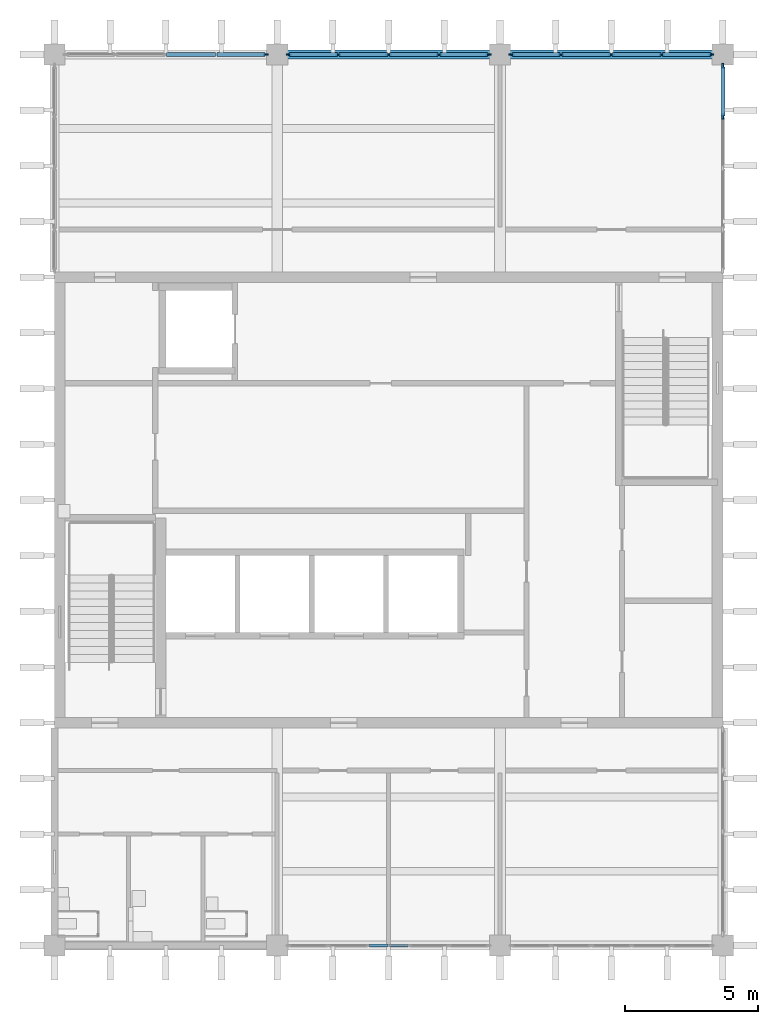
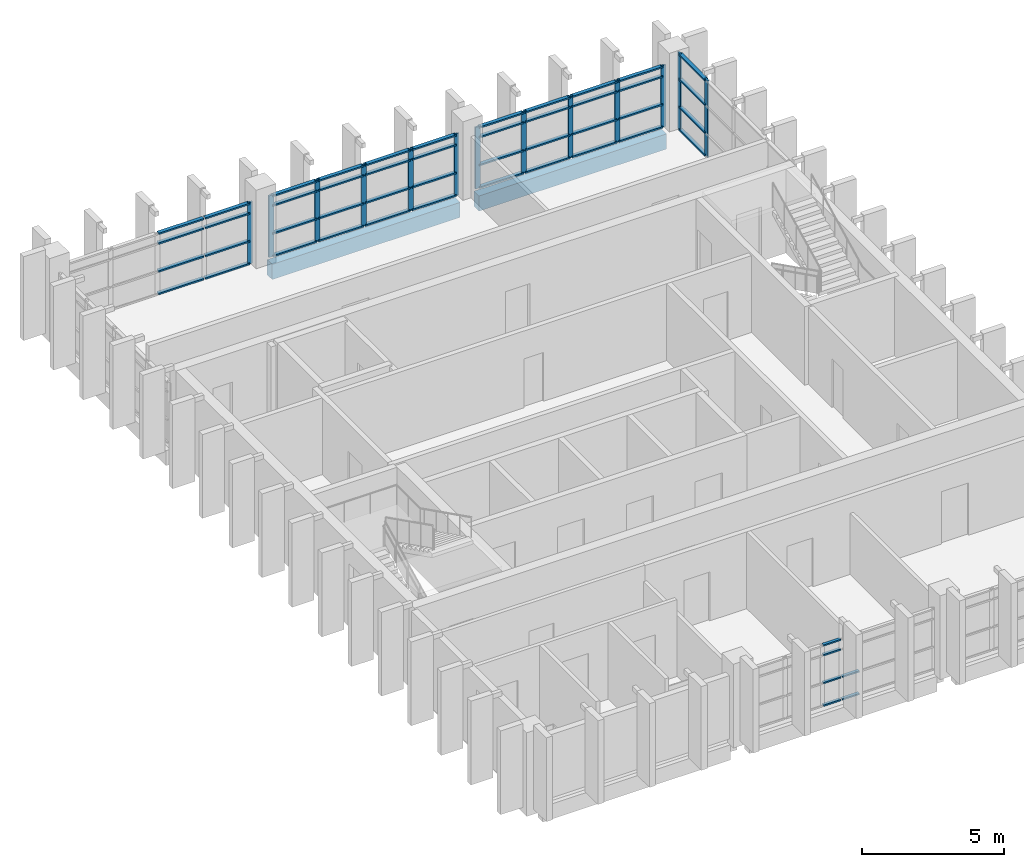
# One storey, part 4 of 11: 63 members, 2 beams, 5 elements without a shape of their own.
"""IFC4 building model written with IfcOpenShell, lengths in metres."""

from ifc_helpers import new_model, si_unit, direction, frame, origin, origin_2d, place, context, subcontext, project, spatial, rectangle, extrude, material, layer, layer_set, material_profile, profile_set, type_object, element, aggregate, save


model = new_model("IFC4")

# Units and contexts
model_context = context("Model", 3, precision=1e-05, world=origin(), true_north=direction((0.0, 1.0)))
body_context = subcontext(model_context, "Body", "Model", "MODEL_VIEW")
ifc_project = project(units=[si_unit("LENGTHUNIT", "METRE"), si_unit("AREAUNIT", "SQUARE_METRE"), si_unit("VOLUMEUNIT", "CUBIC_METRE"), si_unit("PLANEANGLEUNIT", "RADIAN"), si_unit("MASSUNIT", "GRAM", prefix="KILO")], contexts=[model_context])

# Site, building, storey
site_placement = place(None, origin())
site = spatial("IfcSite", under=ifc_project, at=site_placement, CompositionType="ELEMENT")
building_placement = place(site_placement, origin())
building = spatial("IfcBuilding", under=site, at=building_placement, Name="Rulbaag Community and Learning Centre", CompositionType="ELEMENT")
storey_placement = place(building_placement, frame((0.0, 0.0, 43.199951171875)))
storey = spatial("IfcBuildingStorey", under=building, at=storey_placement, Name="L11", CompositionType="ELEMENT", Elevation=43.199951171875)

# Beams
ifc_material_1 = material(Name="Concrete M40", Category="concrete")
ifc_material_profile_1 = material_profile(ifc_material_1, rectangle(XDim=0.35009765625, YDim=0.64990234375, at=origin_2d()), Name="RB350x650")
ifc_profile_set_1 = profile_set([ifc_material_profile_1], Name="Concrete M40")
beam_type = type_object("IfcBeamType", Name="B14 Tower edge beam, upper zone 350x650 Concrete M40", PredefinedType="BEAM", material=ifc_profile_set_1)
beam_1_placement = place(storey_placement, frame((151.580078125, 117.60009765625, -0.550048828125), z_axis=(1.0, 0.0, 0.0), x_axis=(0.0, 1.0, 0.0)))
element("IfcBeam", 1, at=beam_1_placement, inside=storey, type_object=beam_type, Name="BM-L11-19O-20O", PredefinedType="BEAM", context=body_context, shape_type="SweptSolid", body=[
    extrude(rectangle(XDim=0.35009765625, YDim=0.64990234375, at=origin_2d()), origin(), (0.0, 0.0, 1.0), 7.639892578125),
])
beam_2_placement = place(storey_placement, frame((159.97998046875, 117.60009765625, -0.550048828125), z_axis=(1.0, 0.0, 0.0), x_axis=(0.0, 1.0, 0.0)))
element("IfcBeam", 2, at=beam_2_placement, inside=storey, type_object=beam_type, Name="BM-L11-20O-21O", PredefinedType="BEAM", context=body_context, shape_type="SweptSolid", body=[
    extrude(rectangle(XDim=0.35009765625, YDim=0.64990234375, at=origin_2d()), origin(), (0.0, 0.0, 1.0), 7.64013671875),
])

# Curtain wall, members
ifc_material_2 = material(Name="Aluminium", Category="aluminium")
ifc_layer_1 = layer(ifc_material_2, 0.14990234375)
ifc_layer_set_1 = layer_set([ifc_layer_1], Name="CW-S")
curtain_wall_type_1 = type_object("IfcCurtainWallType", Name="CW-S", PredefinedType="USERDEFINED", material=ifc_layer_set_1)
curtain_wall_1_placement = place(storey_placement, origin())
curtain_wall_1 = element("IfcCurtainWall", 3, at=curtain_wall_1_placement, inside=storey, type_object=curtain_wall_type_1, Name="GS-L11-01", ObjectType="UNITISED CURTAIN WALL", PredefinedType="USERDEFINED")
ifc_material_3 = material(Name="Aluminium transom", Category="aluminium")
ifc_material_profile_2 = material_profile(ifc_material_3, rectangle(XDim=0.125, YDim=0.06005859375, at=origin_2d()), Name="AL 60x125 T")
ifc_profile_set_2 = profile_set([ifc_material_profile_2], Name="Aluminium transom")
member_type_1 = type_object("IfcMemberType", Name="CW-S-TRN", PredefinedType="USERDEFINED", material=ifc_profile_set_2)
member_1_placement = place(storey_placement, frame((154.669921875, 84.0, 0.030029296875), z_axis=(1.0, 0.0, 0.0), x_axis=(0.0, 1.0, 0.0)))
member_1 = element("IfcMember", 4, at=member_1_placement, type_object=member_type_1, Name="GS transom 3.1", ObjectType="TRANSOM", PredefinedType="USERDEFINED", context=body_context, shape_type="SweptSolid", body=[
    extrude(rectangle(XDim=0.125, YDim=0.06005859375, at=origin_2d()), origin(), (0.0, 0.0, 1.0), 0.7001953125),
])
member_2_placement = place(storey_placement, frame((154.669921875, 84.0, 1.0), z_axis=(1.0, 0.0, 0.0), x_axis=(0.0, 1.0, 0.0)))
member_2 = element("IfcMember", 5, at=member_2_placement, type_object=member_type_1, Name="GS transom 3.2", ObjectType="TRANSOM", PredefinedType="USERDEFINED", context=body_context, shape_type="SweptSolid", body=[
    extrude(rectangle(XDim=0.125, YDim=0.06005859375, at=origin_2d()), origin(), (0.0, 0.0, 1.0), 0.7001953125),
])
member_3_placement = place(storey_placement, frame((154.669921875, 84.0, 2.199951171875), z_axis=(1.0, 0.0, 0.0), x_axis=(0.0, 1.0, 0.0)))
member_3 = element("IfcMember", 6, at=member_3_placement, type_object=member_type_1, Name="GS transom 3.3", ObjectType="TRANSOM", PredefinedType="USERDEFINED", context=body_context, shape_type="SweptSolid", body=[
    extrude(rectangle(XDim=0.125, YDim=0.06005859375, at=origin_2d()), origin(), (0.0, 0.0, 1.0), 0.7001953125),
])
member_4_placement = place(storey_placement, frame((154.669921875, 84.0, 2.6201171875), z_axis=(1.0, 0.0, 0.0), x_axis=(0.0, 1.0, 0.0)))
member_4 = element("IfcMember", 7, at=member_4_placement, type_object=member_type_1, Name="GS transom 3.4", ObjectType="TRANSOM", PredefinedType="USERDEFINED", context=body_context, shape_type="SweptSolid", body=[
    extrude(rectangle(XDim=0.125, YDim=0.06005859375, at=origin_2d()), origin(), (0.0, 0.0, 1.0), 0.7001953125),
])
member_5_placement = place(storey_placement, frame((155.429931640625, 84.0, 0.030029296875), z_axis=(1.0, 0.0, 0.0), x_axis=(0.0, 1.0, 0.0)))
member_5 = element("IfcMember", 8, at=member_5_placement, type_object=member_type_1, Name="GS transom 4.1", ObjectType="TRANSOM", PredefinedType="USERDEFINED", context=body_context, shape_type="SweptSolid", body=[
    extrude(rectangle(XDim=0.125, YDim=0.06005859375, at=origin_2d()), origin(), (0.0, 0.0, 1.0), 0.699951171875),
])
member_6_placement = place(storey_placement, frame((155.429931640625, 84.0, 1.0), z_axis=(1.0, 0.0, 0.0), x_axis=(0.0, 1.0, 0.0)))
member_6 = element("IfcMember", 9, at=member_6_placement, type_object=member_type_1, Name="GS transom 4.2", ObjectType="TRANSOM", PredefinedType="USERDEFINED", context=body_context, shape_type="SweptSolid", body=[
    extrude(rectangle(XDim=0.125, YDim=0.06005859375, at=origin_2d()), origin(), (0.0, 0.0, 1.0), 0.699951171875),
])
aggregate(curtain_wall_1, [member_1, member_2, member_3, member_4, member_5, member_6])

# Curtain wall, member
ifc_layer_2 = layer(ifc_material_2, 0.14990234375)
ifc_layer_set_2 = layer_set([ifc_layer_2], Name="CW-T")
curtain_wall_type_2 = type_object("IfcCurtainWallType", Name="CW-T", PredefinedType="USERDEFINED", material=ifc_layer_set_2)
curtain_wall_2_placement = place(storey_placement, origin())
curtain_wall_2 = element("IfcCurtainWall", 10, at=curtain_wall_2_placement, inside=storey, type_object=curtain_wall_type_2, Name="GT-L11-01", ObjectType="UNITISED CURTAIN WALL", PredefinedType="USERDEFINED")
ifc_material_4 = material(Name="Aluminium mullion", Category="aluminium")
ifc_material_profile_3 = material_profile(ifc_material_4, rectangle(XDim=0.06494140625, YDim=0.199951171875, at=origin_2d()), Name="AL 65x200")
ifc_profile_set_3 = profile_set([ifc_material_profile_3], Name="Aluminium mullion")
member_type_2 = type_object("IfcMemberType", Name="CW-T-MUL", PredefinedType="MULLION", material=ifc_profile_set_3)
member_7_placement = place(storey_placement, frame((150.767578125, 117.60009765625, 0.0), z_axis=(0.0, 0.0, 1.0), x_axis=(0.0, 1.0, 0.0)))
member_7 = element("IfcMember", 11, at=member_7_placement, type_object=member_type_2, Name="GT mullion 5", PredefinedType="MULLION", context=body_context, shape_type="SweptSolid", body=[
    extrude(rectangle(XDim=0.06494140625, YDim=0.199951171875, at=origin_2d()), origin(), (0.0, 0.0, 1.0), 2.650146484375),
])

# Curtain wall, members
curtain_wall_3_placement = place(storey_placement, origin())
curtain_wall_3 = element("IfcCurtainWall", 12, at=curtain_wall_3_placement, inside=storey, type_object=curtain_wall_type_2, Name="GT-L11-02", ObjectType="UNITISED CURTAIN WALL", PredefinedType="USERDEFINED")
member_8_placement = place(storey_placement, frame((151.632568359375, 117.60009765625, 0.0), z_axis=(0.0, 0.0, 1.0), x_axis=(0.0, 1.0, 0.0)))
member_8 = element("IfcMember", 13, at=member_8_placement, type_object=member_type_2, Name="GT mullion 1", PredefinedType="MULLION", context=body_context, shape_type="SweptSolid", body=[
    extrude(rectangle(XDim=0.06494140625, YDim=0.199951171875, at=origin_2d()), origin(), (0.0, 0.0, 1.0), 2.650146484375),
])
member_9_placement = place(storey_placement, frame((153.5, 117.60009765625, 0.0), z_axis=(0.0, 0.0, 1.0), x_axis=(0.0, 1.0, 0.0)))
member_9 = element("IfcMember", 14, at=member_9_placement, type_object=member_type_2, Name="GT mullion 2", PredefinedType="MULLION", context=body_context, shape_type="SweptSolid", body=[
    extrude(rectangle(XDim=0.06494140625, YDim=0.199951171875, at=origin_2d()), origin(), (0.0, 0.0, 1.0), 2.650146484375),
])
member_10_placement = place(storey_placement, frame((155.39990234375, 117.60009765625, 0.0), z_axis=(0.0, 0.0, 1.0), x_axis=(0.0, 1.0, 0.0)))
member_10 = element("IfcMember", 15, at=member_10_placement, type_object=member_type_2, Name="GT mullion 3", PredefinedType="MULLION", context=body_context, shape_type="SweptSolid", body=[
    extrude(rectangle(XDim=0.06494140625, YDim=0.199951171875, at=origin_2d()), origin(), (0.0, 0.0, 1.0), 2.650146484375),
])
member_11_placement = place(storey_placement, frame((157.300048828125, 117.60009765625, 0.0), z_axis=(0.0, 0.0, 1.0), x_axis=(0.0, 1.0, 0.0)))
member_11 = element("IfcMember", 16, at=member_11_placement, type_object=member_type_2, Name="GT mullion 4", PredefinedType="MULLION", context=body_context, shape_type="SweptSolid", body=[
    extrude(rectangle(XDim=0.06494140625, YDim=0.199951171875, at=origin_2d()), origin(), (0.0, 0.0, 1.0), 2.650146484375),
])
member_12_placement = place(storey_placement, frame((159.16748046875, 117.60009765625, 0.0), z_axis=(0.0, 0.0, 1.0), x_axis=(0.0, 1.0, 0.0)))
member_12 = element("IfcMember", 17, at=member_12_placement, type_object=member_type_2, Name="GT mullion 5", PredefinedType="MULLION", context=body_context, shape_type="SweptSolid", body=[
    extrude(rectangle(XDim=0.06494140625, YDim=0.199951171875, at=origin_2d()), origin(), (0.0, 0.0, 1.0), 2.650146484375),
])

curtain_wall_4_placement = place(storey_placement, origin())
curtain_wall_4 = element("IfcCurtainWall", 18, at=curtain_wall_4_placement, inside=storey, type_object=curtain_wall_type_2, Name="GT-L11-03", ObjectType="UNITISED CURTAIN WALL", PredefinedType="USERDEFINED")
member_13_placement = place(storey_placement, frame((160.032470703125, 117.60009765625, 0.0), z_axis=(0.0, 0.0, 1.0), x_axis=(0.0, 1.0, 0.0)))
member_13 = element("IfcMember", 19, at=member_13_placement, type_object=member_type_2, Name="GT mullion 1", PredefinedType="MULLION", context=body_context, shape_type="SweptSolid", body=[
    extrude(rectangle(XDim=0.06494140625, YDim=0.199951171875, at=origin_2d()), origin(), (0.0, 0.0, 1.0), 2.650146484375),
])
member_14_placement = place(storey_placement, frame((161.89990234375, 117.60009765625, 0.0), z_axis=(0.0, 0.0, 1.0), x_axis=(0.0, 1.0, 0.0)))
member_14 = element("IfcMember", 20, at=member_14_placement, type_object=member_type_2, Name="GT mullion 2", PredefinedType="MULLION", context=body_context, shape_type="SweptSolid", body=[
    extrude(rectangle(XDim=0.06494140625, YDim=0.199951171875, at=origin_2d()), origin(), (0.0, 0.0, 1.0), 2.650146484375),
])
member_15_placement = place(storey_placement, frame((163.800048828125, 117.60009765625, 0.0), z_axis=(0.0, 0.0, 1.0), x_axis=(0.0, 1.0, 0.0)))
member_15 = element("IfcMember", 21, at=member_15_placement, type_object=member_type_2, Name="GT mullion 3", PredefinedType="MULLION", context=body_context, shape_type="SweptSolid", body=[
    extrude(rectangle(XDim=0.06494140625, YDim=0.199951171875, at=origin_2d()), origin(), (0.0, 0.0, 1.0), 2.650146484375),
])
member_16_placement = place(storey_placement, frame((165.699951171875, 117.60009765625, 0.0), z_axis=(0.0, 0.0, 1.0), x_axis=(0.0, 1.0, 0.0)))
member_16 = element("IfcMember", 22, at=member_16_placement, type_object=member_type_2, Name="GT mullion 4", PredefinedType="MULLION", context=body_context, shape_type="SweptSolid", body=[
    extrude(rectangle(XDim=0.06494140625, YDim=0.199951171875, at=origin_2d()), origin(), (0.0, 0.0, 1.0), 2.650146484375),
])
member_17_placement = place(storey_placement, frame((167.5673828125, 117.60009765625, 0.0), z_axis=(0.0, 0.0, 1.0), x_axis=(0.0, 1.0, 0.0)))
member_17 = element("IfcMember", 23, at=member_17_placement, type_object=member_type_2, Name="GT mullion 5", PredefinedType="MULLION", context=body_context, shape_type="SweptSolid", body=[
    extrude(rectangle(XDim=0.06494140625, YDim=0.199951171875, at=origin_2d()), origin(), (0.0, 0.0, 1.0), 2.650146484375),
])

curtain_wall_5_placement = place(storey_placement, origin())
curtain_wall_5 = element("IfcCurtainWall", 24, at=curtain_wall_5_placement, inside=storey, type_object=curtain_wall_type_2, Name="GT-L11-06", ObjectType="UNITISED CURTAIN WALL", PredefinedType="USERDEFINED")
member_18_placement = place(storey_placement, frame((168.0, 115.25634765625, 0.0), z_axis=(0.0, 0.0, 1.0), x_axis=(-1.0, 0.0, 0.0)))
member_18 = element("IfcMember", 25, at=member_18_placement, type_object=member_type_2, Name="GT mullion 4", PredefinedType="MULLION", context=body_context, shape_type="SweptSolid", body=[
    extrude(rectangle(XDim=0.06494140625, YDim=0.199951171875, at=origin_2d()), origin(), (0.0, 0.0, 1.0), 3.300048828125),
])
member_19_placement = place(storey_placement, frame((168.0, 117.16748046875, 0.0), z_axis=(0.0, 0.0, 1.0), x_axis=(-1.0, 0.0, 0.0)))
member_19 = element("IfcMember", 26, at=member_19_placement, type_object=member_type_2, Name="GT mullion 5", PredefinedType="MULLION", context=body_context, shape_type="SweptSolid", body=[
    extrude(rectangle(XDim=0.06494140625, YDim=0.199951171875, at=origin_2d()), origin(), (0.0, 0.0, 1.0), 3.300048828125),
])

# Member
ifc_material_profile_4 = material_profile(ifc_material_3, rectangle(XDim=0.14990234375, YDim=0.06494140625, at=origin_2d()), Name="AL 65x150 T")
ifc_profile_set_4 = profile_set([ifc_material_profile_4], Name="Aluminium transom")
member_type_3 = type_object("IfcMemberType", Name="CW-T-TRN", PredefinedType="USERDEFINED", material=ifc_profile_set_4)
member_20_placement = place(storey_placement, frame((147.032470703125, 117.60009765625, 0.032470703125), z_axis=(1.0, 0.0, 0.0), x_axis=(0.0, 1.0, 0.0)))
member_20 = element("IfcMember", 27, at=member_20_placement, type_object=member_type_3, Name="GT transom 3.1", ObjectType="TRANSOM", PredefinedType="USERDEFINED", context=body_context, shape_type="SweptSolid", body=[
    extrude(rectangle(XDim=0.14990234375, YDim=0.06494140625, at=origin_2d()), origin(), (0.0, 0.0, 1.0), 1.8349609375),
])

member_21_placement = place(storey_placement, frame((147.032470703125, 117.60009765625, 1.0), z_axis=(1.0, 0.0, 0.0), x_axis=(0.0, 1.0, 0.0)))
member_21 = element("IfcMember", 28, at=member_21_placement, type_object=member_type_3, Name="GT transom 3.2", ObjectType="TRANSOM", PredefinedType="USERDEFINED", context=body_context, shape_type="SweptSolid", body=[
    extrude(rectangle(XDim=0.14990234375, YDim=0.06494140625, at=origin_2d()), origin(), (0.0, 0.0, 1.0), 1.8349609375),
])

member_22_placement = place(storey_placement, frame((147.032470703125, 117.60009765625, 2.199951171875), z_axis=(1.0, 0.0, 0.0), x_axis=(0.0, 1.0, 0.0)))
member_22 = element("IfcMember", 29, at=member_22_placement, type_object=member_type_3, Name="GT transom 3.3", ObjectType="TRANSOM", PredefinedType="USERDEFINED", context=body_context, shape_type="SweptSolid", body=[
    extrude(rectangle(XDim=0.14990234375, YDim=0.06494140625, at=origin_2d()), origin(), (0.0, 0.0, 1.0), 1.8349609375),
])

member_23_placement = place(storey_placement, frame((147.032470703125, 117.60009765625, 2.617431640625), z_axis=(1.0, 0.0, 0.0), x_axis=(0.0, 1.0, 0.0)))
member_23 = element("IfcMember", 30, at=member_23_placement, type_object=member_type_3, Name="GT transom 3.4", ObjectType="TRANSOM", PredefinedType="USERDEFINED", context=body_context, shape_type="SweptSolid", body=[
    extrude(rectangle(XDim=0.14990234375, YDim=0.06494140625, at=origin_2d()), origin(), (0.0, 0.0, 1.0), 1.8349609375),
])

member_24_placement = place(storey_placement, frame((148.9326171875, 117.60009765625, 0.032470703125), z_axis=(1.0, 0.0, 0.0), x_axis=(0.0, 1.0, 0.0)))
member_24 = element("IfcMember", 31, at=member_24_placement, type_object=member_type_3, Name="GT transom 4.1", ObjectType="TRANSOM", PredefinedType="USERDEFINED", context=body_context, shape_type="SweptSolid", body=[
    extrude(rectangle(XDim=0.14990234375, YDim=0.06494140625, at=origin_2d()), origin(), (0.0, 0.0, 1.0), 1.802490234375),
])

member_25_placement = place(storey_placement, frame((148.9326171875, 117.60009765625, 1.0), z_axis=(1.0, 0.0, 0.0), x_axis=(0.0, 1.0, 0.0)))
member_25 = element("IfcMember", 32, at=member_25_placement, type_object=member_type_3, Name="GT transom 4.2", ObjectType="TRANSOM", PredefinedType="USERDEFINED", context=body_context, shape_type="SweptSolid", body=[
    extrude(rectangle(XDim=0.14990234375, YDim=0.06494140625, at=origin_2d()), origin(), (0.0, 0.0, 1.0), 1.802490234375),
])

member_26_placement = place(storey_placement, frame((148.9326171875, 117.60009765625, 2.199951171875), z_axis=(1.0, 0.0, 0.0), x_axis=(0.0, 1.0, 0.0)))
member_26 = element("IfcMember", 33, at=member_26_placement, type_object=member_type_3, Name="GT transom 4.3", ObjectType="TRANSOM", PredefinedType="USERDEFINED", context=body_context, shape_type="SweptSolid", body=[
    extrude(rectangle(XDim=0.14990234375, YDim=0.06494140625, at=origin_2d()), origin(), (0.0, 0.0, 1.0), 1.802490234375),
])

member_27_placement = place(storey_placement, frame((148.9326171875, 117.60009765625, 2.617431640625), z_axis=(1.0, 0.0, 0.0), x_axis=(0.0, 1.0, 0.0)))
member_27 = element("IfcMember", 34, at=member_27_placement, type_object=member_type_3, Name="GT transom 4.4", ObjectType="TRANSOM", PredefinedType="USERDEFINED", context=body_context, shape_type="SweptSolid", body=[
    extrude(rectangle(XDim=0.14990234375, YDim=0.06494140625, at=origin_2d()), origin(), (0.0, 0.0, 1.0), 1.802490234375),
])

aggregate(curtain_wall_2, [member_7, member_20, member_21, member_22, member_23, member_24, member_25, member_26, member_27])

member_28_placement = place(storey_placement, frame((151.6650390625, 117.60009765625, 0.032470703125), z_axis=(1.0, 0.0, 0.0), x_axis=(0.0, 1.0, 0.0)))
member_28 = element("IfcMember", 35, at=member_28_placement, type_object=member_type_3, Name="GT transom 1.1", ObjectType="TRANSOM", PredefinedType="USERDEFINED", context=body_context, shape_type="SweptSolid", body=[
    extrude(rectangle(XDim=0.14990234375, YDim=0.06494140625, at=origin_2d()), origin(), (0.0, 0.0, 1.0), 1.802490234375),
])

member_29_placement = place(storey_placement, frame((151.6650390625, 117.60009765625, 1.0), z_axis=(1.0, 0.0, 0.0), x_axis=(0.0, 1.0, 0.0)))
member_29 = element("IfcMember", 36, at=member_29_placement, type_object=member_type_3, Name="GT transom 1.2", ObjectType="TRANSOM", PredefinedType="USERDEFINED", context=body_context, shape_type="SweptSolid", body=[
    extrude(rectangle(XDim=0.14990234375, YDim=0.06494140625, at=origin_2d()), origin(), (0.0, 0.0, 1.0), 1.802490234375),
])

member_30_placement = place(storey_placement, frame((151.6650390625, 117.60009765625, 2.199951171875), z_axis=(1.0, 0.0, 0.0), x_axis=(0.0, 1.0, 0.0)))
member_30 = element("IfcMember", 37, at=member_30_placement, type_object=member_type_3, Name="GT transom 1.3", ObjectType="TRANSOM", PredefinedType="USERDEFINED", context=body_context, shape_type="SweptSolid", body=[
    extrude(rectangle(XDim=0.14990234375, YDim=0.06494140625, at=origin_2d()), origin(), (0.0, 0.0, 1.0), 1.802490234375),
])

member_31_placement = place(storey_placement, frame((151.6650390625, 117.60009765625, 2.617431640625), z_axis=(1.0, 0.0, 0.0), x_axis=(0.0, 1.0, 0.0)))
member_31 = element("IfcMember", 38, at=member_31_placement, type_object=member_type_3, Name="GT transom 1.4", ObjectType="TRANSOM", PredefinedType="USERDEFINED", context=body_context, shape_type="SweptSolid", body=[
    extrude(rectangle(XDim=0.14990234375, YDim=0.06494140625, at=origin_2d()), origin(), (0.0, 0.0, 1.0), 1.802490234375),
])

member_32_placement = place(storey_placement, frame((153.532470703125, 117.60009765625, 0.032470703125), z_axis=(1.0, 0.0, 0.0), x_axis=(0.0, 1.0, 0.0)))
member_32 = element("IfcMember", 39, at=member_32_placement, type_object=member_type_3, Name="GT transom 2.1", ObjectType="TRANSOM", PredefinedType="USERDEFINED", context=body_context, shape_type="SweptSolid", body=[
    extrude(rectangle(XDim=0.14990234375, YDim=0.06494140625, at=origin_2d()), origin(), (0.0, 0.0, 1.0), 1.8349609375),
])

member_33_placement = place(storey_placement, frame((153.532470703125, 117.60009765625, 1.0), z_axis=(1.0, 0.0, 0.0), x_axis=(0.0, 1.0, 0.0)))
member_33 = element("IfcMember", 40, at=member_33_placement, type_object=member_type_3, Name="GT transom 2.2", ObjectType="TRANSOM", PredefinedType="USERDEFINED", context=body_context, shape_type="SweptSolid", body=[
    extrude(rectangle(XDim=0.14990234375, YDim=0.06494140625, at=origin_2d()), origin(), (0.0, 0.0, 1.0), 1.8349609375),
])

member_34_placement = place(storey_placement, frame((153.532470703125, 117.60009765625, 2.199951171875), z_axis=(1.0, 0.0, 0.0), x_axis=(0.0, 1.0, 0.0)))
member_34 = element("IfcMember", 41, at=member_34_placement, type_object=member_type_3, Name="GT transom 2.3", ObjectType="TRANSOM", PredefinedType="USERDEFINED", context=body_context, shape_type="SweptSolid", body=[
    extrude(rectangle(XDim=0.14990234375, YDim=0.06494140625, at=origin_2d()), origin(), (0.0, 0.0, 1.0), 1.8349609375),
])

member_35_placement = place(storey_placement, frame((153.532470703125, 117.60009765625, 2.617431640625), z_axis=(1.0, 0.0, 0.0), x_axis=(0.0, 1.0, 0.0)))
member_35 = element("IfcMember", 42, at=member_35_placement, type_object=member_type_3, Name="GT transom 2.4", ObjectType="TRANSOM", PredefinedType="USERDEFINED", context=body_context, shape_type="SweptSolid", body=[
    extrude(rectangle(XDim=0.14990234375, YDim=0.06494140625, at=origin_2d()), origin(), (0.0, 0.0, 1.0), 1.8349609375),
])

member_36_placement = place(storey_placement, frame((155.4326171875, 117.60009765625, 0.032470703125), z_axis=(1.0, 0.0, 0.0), x_axis=(0.0, 1.0, 0.0)))
member_36 = element("IfcMember", 43, at=member_36_placement, type_object=member_type_3, Name="GT transom 3.1", ObjectType="TRANSOM", PredefinedType="USERDEFINED", context=body_context, shape_type="SweptSolid", body=[
    extrude(rectangle(XDim=0.14990234375, YDim=0.06494140625, at=origin_2d()), origin(), (0.0, 0.0, 1.0), 1.8349609375),
])

member_37_placement = place(storey_placement, frame((155.4326171875, 117.60009765625, 1.0), z_axis=(1.0, 0.0, 0.0), x_axis=(0.0, 1.0, 0.0)))
member_37 = element("IfcMember", 44, at=member_37_placement, type_object=member_type_3, Name="GT transom 3.2", ObjectType="TRANSOM", PredefinedType="USERDEFINED", context=body_context, shape_type="SweptSolid", body=[
    extrude(rectangle(XDim=0.14990234375, YDim=0.06494140625, at=origin_2d()), origin(), (0.0, 0.0, 1.0), 1.8349609375),
])

member_38_placement = place(storey_placement, frame((155.4326171875, 117.60009765625, 2.199951171875), z_axis=(1.0, 0.0, 0.0), x_axis=(0.0, 1.0, 0.0)))
member_38 = element("IfcMember", 45, at=member_38_placement, type_object=member_type_3, Name="GT transom 3.3", ObjectType="TRANSOM", PredefinedType="USERDEFINED", context=body_context, shape_type="SweptSolid", body=[
    extrude(rectangle(XDim=0.14990234375, YDim=0.06494140625, at=origin_2d()), origin(), (0.0, 0.0, 1.0), 1.8349609375),
])

member_39_placement = place(storey_placement, frame((155.4326171875, 117.60009765625, 2.617431640625), z_axis=(1.0, 0.0, 0.0), x_axis=(0.0, 1.0, 0.0)))
member_39 = element("IfcMember", 46, at=member_39_placement, type_object=member_type_3, Name="GT transom 3.4", ObjectType="TRANSOM", PredefinedType="USERDEFINED", context=body_context, shape_type="SweptSolid", body=[
    extrude(rectangle(XDim=0.14990234375, YDim=0.06494140625, at=origin_2d()), origin(), (0.0, 0.0, 1.0), 1.8349609375),
])

member_40_placement = place(storey_placement, frame((157.33251953125, 117.60009765625, 0.032470703125), z_axis=(1.0, 0.0, 0.0), x_axis=(0.0, 1.0, 0.0)))
member_40 = element("IfcMember", 47, at=member_40_placement, type_object=member_type_3, Name="GT transom 4.1", ObjectType="TRANSOM", PredefinedType="USERDEFINED", context=body_context, shape_type="SweptSolid", body=[
    extrude(rectangle(XDim=0.14990234375, YDim=0.06494140625, at=origin_2d()), origin(), (0.0, 0.0, 1.0), 1.802490234375),
])

member_41_placement = place(storey_placement, frame((157.33251953125, 117.60009765625, 1.0), z_axis=(1.0, 0.0, 0.0), x_axis=(0.0, 1.0, 0.0)))
member_41 = element("IfcMember", 48, at=member_41_placement, type_object=member_type_3, Name="GT transom 4.2", ObjectType="TRANSOM", PredefinedType="USERDEFINED", context=body_context, shape_type="SweptSolid", body=[
    extrude(rectangle(XDim=0.14990234375, YDim=0.06494140625, at=origin_2d()), origin(), (0.0, 0.0, 1.0), 1.802490234375),
])

member_42_placement = place(storey_placement, frame((157.33251953125, 117.60009765625, 2.199951171875), z_axis=(1.0, 0.0, 0.0), x_axis=(0.0, 1.0, 0.0)))
member_42 = element("IfcMember", 49, at=member_42_placement, type_object=member_type_3, Name="GT transom 4.3", ObjectType="TRANSOM", PredefinedType="USERDEFINED", context=body_context, shape_type="SweptSolid", body=[
    extrude(rectangle(XDim=0.14990234375, YDim=0.06494140625, at=origin_2d()), origin(), (0.0, 0.0, 1.0), 1.802490234375),
])

member_43_placement = place(storey_placement, frame((157.33251953125, 117.60009765625, 2.617431640625), z_axis=(1.0, 0.0, 0.0), x_axis=(0.0, 1.0, 0.0)))
member_43 = element("IfcMember", 50, at=member_43_placement, type_object=member_type_3, Name="GT transom 4.4", ObjectType="TRANSOM", PredefinedType="USERDEFINED", context=body_context, shape_type="SweptSolid", body=[
    extrude(rectangle(XDim=0.14990234375, YDim=0.06494140625, at=origin_2d()), origin(), (0.0, 0.0, 1.0), 1.802490234375),
])

aggregate(curtain_wall_3, [member_8, member_9, member_10, member_11, member_12, member_28, member_29, member_30, member_31, member_32, member_33, member_34, member_35, member_36, member_37, member_38, member_39, member_40, member_41, member_42, member_43])

member_44_placement = place(storey_placement, frame((160.06494140625, 117.60009765625, 0.032470703125), z_axis=(1.0, 0.0, 0.0), x_axis=(0.0, 1.0, 0.0)))
member_44 = element("IfcMember", 51, at=member_44_placement, type_object=member_type_3, Name="GT transom 1.1", ObjectType="TRANSOM", PredefinedType="USERDEFINED", context=body_context, shape_type="SweptSolid", body=[
    extrude(rectangle(XDim=0.14990234375, YDim=0.06494140625, at=origin_2d()), origin(), (0.0, 0.0, 1.0), 1.802490234375),
])

member_45_placement = place(storey_placement, frame((160.06494140625, 117.60009765625, 1.0), z_axis=(1.0, 0.0, 0.0), x_axis=(0.0, 1.0, 0.0)))
member_45 = element("IfcMember", 52, at=member_45_placement, type_object=member_type_3, Name="GT transom 1.2", ObjectType="TRANSOM", PredefinedType="USERDEFINED", context=body_context, shape_type="SweptSolid", body=[
    extrude(rectangle(XDim=0.14990234375, YDim=0.06494140625, at=origin_2d()), origin(), (0.0, 0.0, 1.0), 1.802490234375),
])

member_46_placement = place(storey_placement, frame((160.06494140625, 117.60009765625, 2.199951171875), z_axis=(1.0, 0.0, 0.0), x_axis=(0.0, 1.0, 0.0)))
member_46 = element("IfcMember", 53, at=member_46_placement, type_object=member_type_3, Name="GT transom 1.3", ObjectType="TRANSOM", PredefinedType="USERDEFINED", context=body_context, shape_type="SweptSolid", body=[
    extrude(rectangle(XDim=0.14990234375, YDim=0.06494140625, at=origin_2d()), origin(), (0.0, 0.0, 1.0), 1.802490234375),
])

member_47_placement = place(storey_placement, frame((160.06494140625, 117.60009765625, 2.617431640625), z_axis=(1.0, 0.0, 0.0), x_axis=(0.0, 1.0, 0.0)))
member_47 = element("IfcMember", 54, at=member_47_placement, type_object=member_type_3, Name="GT transom 1.4", ObjectType="TRANSOM", PredefinedType="USERDEFINED", context=body_context, shape_type="SweptSolid", body=[
    extrude(rectangle(XDim=0.14990234375, YDim=0.06494140625, at=origin_2d()), origin(), (0.0, 0.0, 1.0), 1.802490234375),
])

member_48_placement = place(storey_placement, frame((161.9326171875, 117.60009765625, 0.032470703125), z_axis=(1.0, 0.0, 0.0), x_axis=(0.0, 1.0, 0.0)))
member_48 = element("IfcMember", 55, at=member_48_placement, type_object=member_type_3, Name="GT transom 2.1", ObjectType="TRANSOM", PredefinedType="USERDEFINED", context=body_context, shape_type="SweptSolid", body=[
    extrude(rectangle(XDim=0.14990234375, YDim=0.06494140625, at=origin_2d()), origin(), (0.0, 0.0, 1.0), 1.8349609375),
])

member_49_placement = place(storey_placement, frame((161.9326171875, 117.60009765625, 1.0), z_axis=(1.0, 0.0, 0.0), x_axis=(0.0, 1.0, 0.0)))
member_49 = element("IfcMember", 56, at=member_49_placement, type_object=member_type_3, Name="GT transom 2.2", ObjectType="TRANSOM", PredefinedType="USERDEFINED", context=body_context, shape_type="SweptSolid", body=[
    extrude(rectangle(XDim=0.14990234375, YDim=0.06494140625, at=origin_2d()), origin(), (0.0, 0.0, 1.0), 1.8349609375),
])

member_50_placement = place(storey_placement, frame((161.9326171875, 117.60009765625, 2.199951171875), z_axis=(1.0, 0.0, 0.0), x_axis=(0.0, 1.0, 0.0)))
member_50 = element("IfcMember", 57, at=member_50_placement, type_object=member_type_3, Name="GT transom 2.3", ObjectType="TRANSOM", PredefinedType="USERDEFINED", context=body_context, shape_type="SweptSolid", body=[
    extrude(rectangle(XDim=0.14990234375, YDim=0.06494140625, at=origin_2d()), origin(), (0.0, 0.0, 1.0), 1.8349609375),
])

member_51_placement = place(storey_placement, frame((161.9326171875, 117.60009765625, 2.617431640625), z_axis=(1.0, 0.0, 0.0), x_axis=(0.0, 1.0, 0.0)))
member_51 = element("IfcMember", 58, at=member_51_placement, type_object=member_type_3, Name="GT transom 2.4", ObjectType="TRANSOM", PredefinedType="USERDEFINED", context=body_context, shape_type="SweptSolid", body=[
    extrude(rectangle(XDim=0.14990234375, YDim=0.06494140625, at=origin_2d()), origin(), (0.0, 0.0, 1.0), 1.8349609375),
])

member_52_placement = place(storey_placement, frame((163.83251953125, 117.60009765625, 0.032470703125), z_axis=(1.0, 0.0, 0.0), x_axis=(0.0, 1.0, 0.0)))
member_52 = element("IfcMember", 59, at=member_52_placement, type_object=member_type_3, Name="GT transom 3.1", ObjectType="TRANSOM", PredefinedType="USERDEFINED", context=body_context, shape_type="SweptSolid", body=[
    extrude(rectangle(XDim=0.14990234375, YDim=0.06494140625, at=origin_2d()), origin(), (0.0, 0.0, 1.0), 1.8349609375),
])

member_53_placement = place(storey_placement, frame((163.83251953125, 117.60009765625, 1.0), z_axis=(1.0, 0.0, 0.0), x_axis=(0.0, 1.0, 0.0)))
member_53 = element("IfcMember", 60, at=member_53_placement, type_object=member_type_3, Name="GT transom 3.2", ObjectType="TRANSOM", PredefinedType="USERDEFINED", context=body_context, shape_type="SweptSolid", body=[
    extrude(rectangle(XDim=0.14990234375, YDim=0.06494140625, at=origin_2d()), origin(), (0.0, 0.0, 1.0), 1.8349609375),
])

member_54_placement = place(storey_placement, frame((163.83251953125, 117.60009765625, 2.199951171875), z_axis=(1.0, 0.0, 0.0), x_axis=(0.0, 1.0, 0.0)))
member_54 = element("IfcMember", 61, at=member_54_placement, type_object=member_type_3, Name="GT transom 3.3", ObjectType="TRANSOM", PredefinedType="USERDEFINED", context=body_context, shape_type="SweptSolid", body=[
    extrude(rectangle(XDim=0.14990234375, YDim=0.06494140625, at=origin_2d()), origin(), (0.0, 0.0, 1.0), 1.8349609375),
])

member_55_placement = place(storey_placement, frame((163.83251953125, 117.60009765625, 2.617431640625), z_axis=(1.0, 0.0, 0.0), x_axis=(0.0, 1.0, 0.0)))
member_55 = element("IfcMember", 62, at=member_55_placement, type_object=member_type_3, Name="GT transom 3.4", ObjectType="TRANSOM", PredefinedType="USERDEFINED", context=body_context, shape_type="SweptSolid", body=[
    extrude(rectangle(XDim=0.14990234375, YDim=0.06494140625, at=origin_2d()), origin(), (0.0, 0.0, 1.0), 1.8349609375),
])

member_56_placement = place(storey_placement, frame((165.732421875, 117.60009765625, 0.032470703125), z_axis=(1.0, 0.0, 0.0), x_axis=(0.0, 1.0, 0.0)))
member_56 = element("IfcMember", 63, at=member_56_placement, type_object=member_type_3, Name="GT transom 4.1", ObjectType="TRANSOM", PredefinedType="USERDEFINED", context=body_context, shape_type="SweptSolid", body=[
    extrude(rectangle(XDim=0.14990234375, YDim=0.06494140625, at=origin_2d()), origin(), (0.0, 0.0, 1.0), 1.802490234375),
])

member_57_placement = place(storey_placement, frame((165.732421875, 117.60009765625, 1.0), z_axis=(1.0, 0.0, 0.0), x_axis=(0.0, 1.0, 0.0)))
member_57 = element("IfcMember", 64, at=member_57_placement, type_object=member_type_3, Name="GT transom 4.2", ObjectType="TRANSOM", PredefinedType="USERDEFINED", context=body_context, shape_type="SweptSolid", body=[
    extrude(rectangle(XDim=0.14990234375, YDim=0.06494140625, at=origin_2d()), origin(), (0.0, 0.0, 1.0), 1.802490234375),
])

member_58_placement = place(storey_placement, frame((165.732421875, 117.60009765625, 2.199951171875), z_axis=(1.0, 0.0, 0.0), x_axis=(0.0, 1.0, 0.0)))
member_58 = element("IfcMember", 65, at=member_58_placement, type_object=member_type_3, Name="GT transom 4.3", ObjectType="TRANSOM", PredefinedType="USERDEFINED", context=body_context, shape_type="SweptSolid", body=[
    extrude(rectangle(XDim=0.14990234375, YDim=0.06494140625, at=origin_2d()), origin(), (0.0, 0.0, 1.0), 1.802490234375),
])

member_59_placement = place(storey_placement, frame((165.732421875, 117.60009765625, 2.617431640625), z_axis=(1.0, 0.0, 0.0), x_axis=(0.0, 1.0, 0.0)))
member_59 = element("IfcMember", 66, at=member_59_placement, type_object=member_type_3, Name="GT transom 4.4", ObjectType="TRANSOM", PredefinedType="USERDEFINED", context=body_context, shape_type="SweptSolid", body=[
    extrude(rectangle(XDim=0.14990234375, YDim=0.06494140625, at=origin_2d()), origin(), (0.0, 0.0, 1.0), 1.802490234375),
])

aggregate(curtain_wall_4, [member_13, member_14, member_15, member_16, member_17, member_44, member_45, member_46, member_47, member_48, member_49, member_50, member_51, member_52, member_53, member_54, member_55, member_56, member_57, member_58, member_59])

member_60_placement = place(storey_placement, frame((168.0, 115.288818359375, 0.032470703125), z_axis=(0.0, 1.0, 0.0), x_axis=(-1.0, 0.0, 0.0)))
member_60 = element("IfcMember", 67, at=member_60_placement, type_object=member_type_3, Name="GT transom 4.1", ObjectType="TRANSOM", PredefinedType="USERDEFINED", context=body_context, shape_type="SweptSolid", body=[
    extrude(rectangle(XDim=0.14990234375, YDim=0.06494140625, at=origin_2d()), origin(), (0.0, 0.0, 1.0), 1.84619140625),
])

member_61_placement = place(storey_placement, frame((168.0, 115.288818359375, 1.0), z_axis=(0.0, 1.0, 0.0), x_axis=(-1.0, 0.0, 0.0)))
member_61 = element("IfcMember", 68, at=member_61_placement, type_object=member_type_3, Name="GT transom 4.2", ObjectType="TRANSOM", PredefinedType="USERDEFINED", context=body_context, shape_type="SweptSolid", body=[
    extrude(rectangle(XDim=0.14990234375, YDim=0.06494140625, at=origin_2d()), origin(), (0.0, 0.0, 1.0), 1.84619140625),
])

member_62_placement = place(storey_placement, frame((168.0, 115.288818359375, 2.199951171875), z_axis=(0.0, 1.0, 0.0), x_axis=(-1.0, 0.0, 0.0)))
member_62 = element("IfcMember", 69, at=member_62_placement, type_object=member_type_3, Name="GT transom 4.3", ObjectType="TRANSOM", PredefinedType="USERDEFINED", context=body_context, shape_type="SweptSolid", body=[
    extrude(rectangle(XDim=0.14990234375, YDim=0.06494140625, at=origin_2d()), origin(), (0.0, 0.0, 1.0), 1.84619140625),
])

member_63_placement = place(storey_placement, frame((168.0, 115.288818359375, 3.267578125), z_axis=(0.0, 1.0, 0.0), x_axis=(-1.0, 0.0, 0.0)))
member_63 = element("IfcMember", 70, at=member_63_placement, type_object=member_type_3, Name="GT transom 4.4", ObjectType="TRANSOM", PredefinedType="USERDEFINED", context=body_context, shape_type="SweptSolid", body=[
    extrude(rectangle(XDim=0.14990234375, YDim=0.06494140625, at=origin_2d()), origin(), (0.0, 0.0, 1.0), 1.84619140625),
])

aggregate(curtain_wall_5, [member_18, member_19, member_60, member_61, member_62, member_63])

save(model, "model.ifc")
